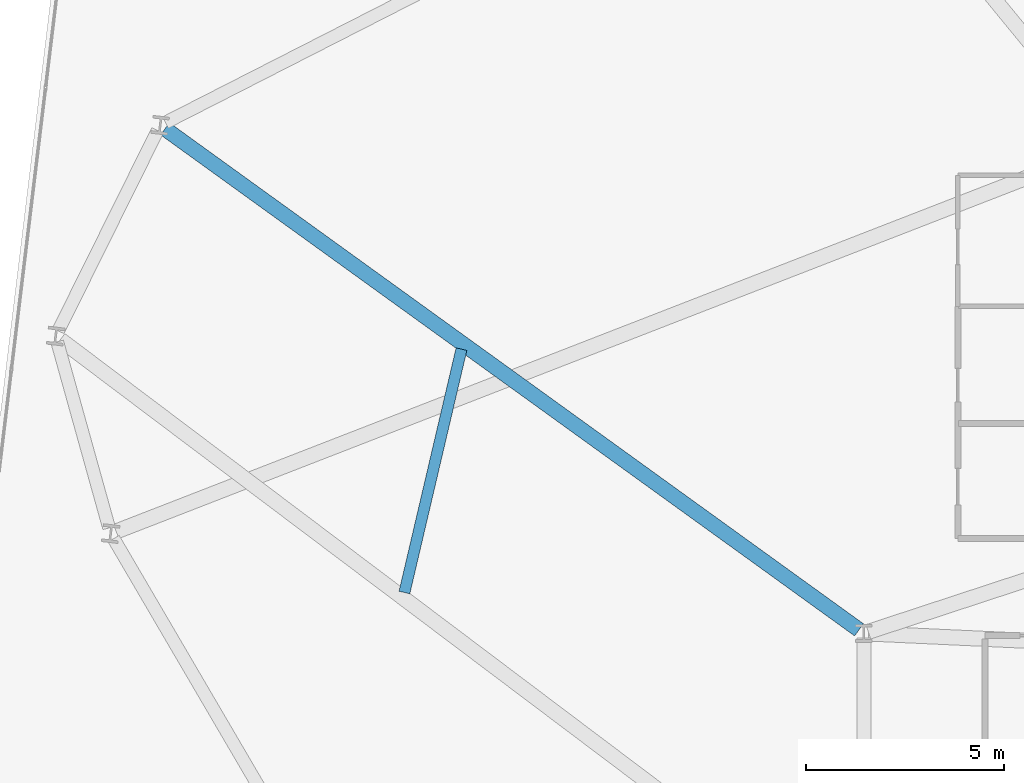
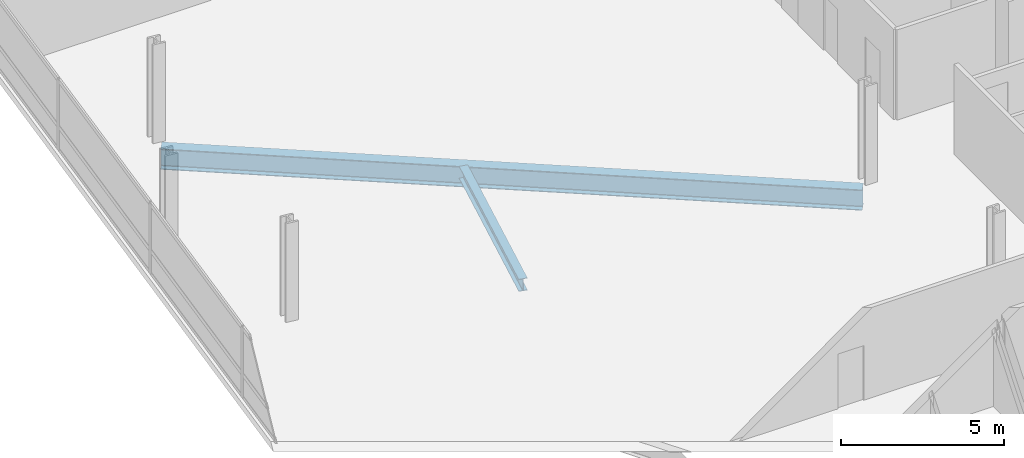
# One storey, part 9 of 26: 2 beams.
"""IFC4 building model written with IfcOpenShell, lengths in metres."""

from ifc_helpers import new_model, si_unit, direction, frame, origin, origin_2d, place, context, subcontext, project, spatial, i_section, extrude, material, material_profile, profile_set, type_object, element, save


model = new_model("IFC4")

# Units and contexts
model_context = context("Model", 3, precision=1e-05, world=origin(), true_north=direction((0.0, 1.0)))
body_context = subcontext(model_context, "Body", "Model", "MODEL_VIEW")
ifc_project = project(units=[si_unit("LENGTHUNIT", "METRE"), si_unit("AREAUNIT", "SQUARE_METRE"), si_unit("VOLUMEUNIT", "CUBIC_METRE"), si_unit("PLANEANGLEUNIT", "RADIAN"), si_unit("MASSUNIT", "GRAM", prefix="KILO")], contexts=[model_context])

# Site, building, storey
site_placement = place(None, origin())
site = spatial("IfcSite", under=ifc_project, at=site_placement, CompositionType="ELEMENT")
building_placement = place(site_placement, origin())
building = spatial("IfcBuilding", under=site, at=building_placement, Name="Varnelok Gate Tower", CompositionType="ELEMENT")
storey_placement = place(building_placement, frame((0.0, 0.0, 158.699951171875)))
storey = spatial("IfcBuildingStorey", under=building, at=storey_placement, Name="L40", CompositionType="ELEMENT", Elevation=158.699951171875)

# Beams
ifc_material = material(Name="Structural Steel ASTM A992 Grade 50", Category="steel")
ifc_material_profile_1 = material_profile(ifc_material, i_section(OverallWidth=0.280029296875, OverallDepth=0.462890625, WebThickness=0.0107421875, FlangeThickness=0.017333984375, FilletRadius=0.014892578125, at=origin_2d()), Name="W18X76")
ifc_profile_set_1 = profile_set([ifc_material_profile_1], Name="Structural Steel ASTM A992 Grade 50")
beam_type_1 = type_object("IfcBeamType", Name="BM-JST-W18X76", PredefinedType="JOIST", material=ifc_profile_set_1)
beam_1_placement = place(storey_placement, frame((14.22607421875, 33.86572265625, -0.4814453125), z_axis=(-0.228186746264, -0.97361738318, 0.0), x_axis=(0.97361738318, -0.228186746264, 0.0)))
element("IfcBeam", 1, at=beam_1_placement, inside=storey, type_object=beam_type_1, Name="L40 Sector Floor Joist 11", PredefinedType="JOIST", context=body_context, shape_type="SweptSolid", body=[
    extrude(i_section(OverallWidth=0.280029296875, OverallDepth=0.462890625, WebThickness=0.0107421875, FlangeThickness=0.017333984375, FilletRadius=0.014892578125, at=origin_2d()), origin(), (0.0, 0.0, 1.0), 6.321044921875),
])
ifc_material_profile_2 = material_profile(ifc_material, i_section(OverallWidth=0.381103515625, OverallDepth=0.77294921875, WebThickness=0.0166015625, FlangeThickness=0.027099609375, FilletRadius=0.02197265625, at=origin_2d()), Name="W30X173")
ifc_profile_set_2 = profile_set([ifc_material_profile_2], Name="Structural Steel ASTM A992 Grade 50")
beam_type_2 = type_object("IfcBeamType", Name="BM-PRI-W30X173", PredefinedType="BEAM", material=ifc_profile_set_2)
beam_2_placement = place(storey_placement, frame((24.2783203125, 26.767822265625, -0.636474609375), z_axis=(-0.810778258155, 0.585353411286, 0.0), x_axis=(-0.585353411286, -0.810778258155, 0.0)))
element("IfcBeam", 2, at=beam_2_placement, inside=storey, type_object=beam_type_2, Name="L40 Radial Floor Girder 14", PredefinedType="BEAM", context=body_context, shape_type="SweptSolid", body=[
    extrude(i_section(OverallWidth=0.381103515625, OverallDepth=0.77294921875, WebThickness=0.0166015625, FlangeThickness=0.027099609375, FilletRadius=0.02197265625, at=origin_2d()), origin(), (0.0, 0.0, 1.0), 21.645263671875),
])

save(model, "model.ifc")
